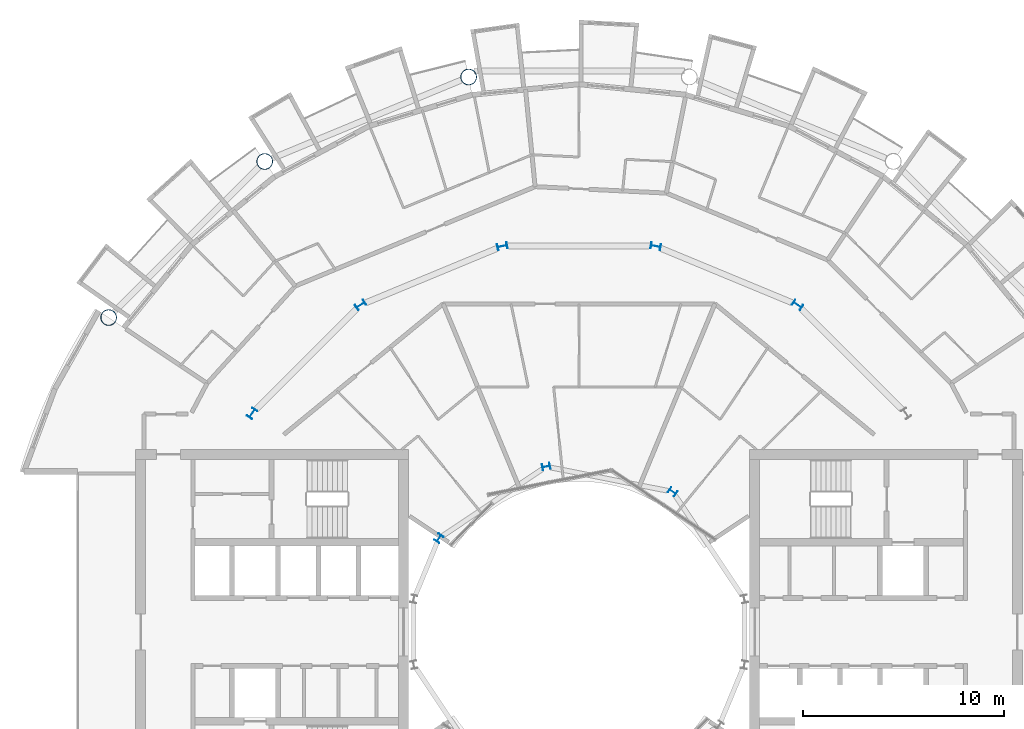
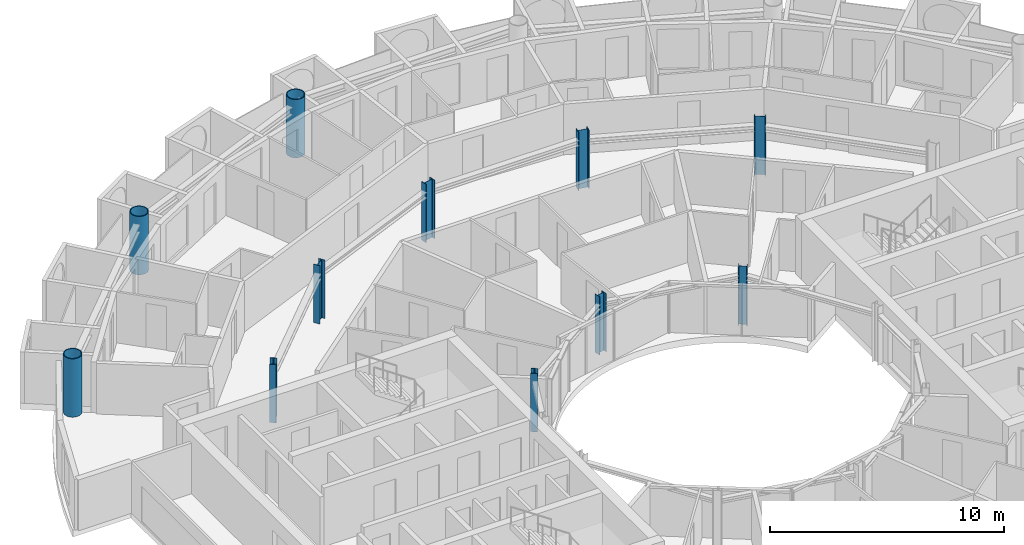
# One storey, part 3 of 26: 11 columns.
"""IFC4 building model written with IfcOpenShell, lengths in metres."""

from ifc_helpers import new_model, si_unit, direction, frame, origin, origin_2d, place, context, subcontext, project, spatial, hollow_circle, i_section, extrude, material, material_profile, profile_set, type_object, element, save


model = new_model("IFC4")

# Units and contexts
model_context = context("Model", 3, precision=1e-05, world=origin(), true_north=direction((0.0, 1.0)))
body_context = subcontext(model_context, "Body", "Model", "MODEL_VIEW")
ifc_project = project(units=[si_unit("LENGTHUNIT", "METRE"), si_unit("AREAUNIT", "SQUARE_METRE"), si_unit("VOLUMEUNIT", "CUBIC_METRE"), si_unit("PLANEANGLEUNIT", "RADIAN"), si_unit("MASSUNIT", "GRAM", prefix="KILO")], contexts=[model_context])

# Site, building, storey
site_placement = place(None, origin())
site = spatial("IfcSite", under=ifc_project, at=site_placement, CompositionType="ELEMENT")
building_placement = place(site_placement, origin())
building = spatial("IfcBuilding", under=site, at=building_placement, Name="Maasbend Ring Residences", CompositionType="ELEMENT")
storey_placement = place(building_placement, frame((0.0, 0.0, 176.85009765625)))
storey = spatial("IfcBuildingStorey", under=building, at=storey_placement, Name="L51", CompositionType="ELEMENT", Elevation=176.85009765625)

# Columns
ifc_material_1 = material(Name="Composite concrete-filled steel tube S460NH / C80/95", Category="concrete")
ifc_material_profile_1 = material_profile(ifc_material_1, hollow_circle(Radius=0.406494140625, WallThickness=0.0400390625, at=origin_2d()), Name="Composite tube column CHS 813x40")
ifc_profile_set_1 = profile_set([ifc_material_profile_1], Name="Composite concrete-filled steel tube S460NH / C80/95")
column_type_1 = type_object("IfcColumnType", Name="Composite tube column CHS 813x40", PredefinedType="COLUMN", material=ifc_profile_set_1)
for number, where, z_axis, x_axis, name in (
    (1, (-5.50146484375, 27.658203125, 0.0), (0.0, 0.0, 1.0), (1.0, 0.0, 0.0), "Outer column R5"),
    (2, (-15.6669921875, 23.447509765625, 0.0), (0.0, 0.0, 1.0), (1.0, 0.0, 0.0), "Outer column R6"),
    (3, (-23.447509765625, 15.6669921875, 0.0), (0.0, 0.0, 1.0), (1.0, 0.0, 0.0), "Outer column R7"),
):
    element("IfcColumn", number, at=place(storey_placement, frame(where, z_axis=z_axis, x_axis=x_axis)), inside=storey, type_object=column_type_1, Name=name, PredefinedType="COLUMN", context=body_context, shape_type="SweptSolid", body=[
        extrude(hollow_circle(Radius=0.406494140625, WallThickness=0.0400390625, at=origin_2d()), origin(), (0.0, 0.0, 1.0), 3.0498046875),
    ])
ifc_material_2 = material(Name="Steel S355J2", Category="steel")
ifc_material_profile_2 = material_profile(ifc_material_2, i_section(OverallWidth=0.300048828125, OverallDepth=0.389892578125, WebThickness=0.010986328125, FlangeThickness=0.01904296875, FilletRadius=0.027099609375, at=origin_2d()), Name="HEA 400")
ifc_profile_set_2 = profile_set([ifc_material_profile_2], Name="Steel S355J2")
column_type_2 = type_object("IfcColumnType", Name="Steel column HEA 400", PredefinedType="COLUMN", material=ifc_profile_set_2)
for number, where, z_axis, x_axis, name in (
    (4, (4.666748046875, 6.984375, 0.0), (0.0, 0.0, 1.0), (0.55557023302, 0.831469612303, 0.0), "Well ring column R3"),
    (5, (-1.638916015625, 8.238525390625, 0.0), (0.0, 0.0, 1.0), (-0.195090322016, 0.980785280403, 0.0), "Well ring column R5"),
    (6, (-6.984375, 4.666748046875, 0.0), (0.0, 0.0, 1.0), (-0.831469612303, 0.55557023302, 0.0), "Well ring column R7"),
):
    element("IfcColumn", number, at=place(storey_placement, frame(where, z_axis=z_axis, x_axis=x_axis)), inside=storey, type_object=column_type_2, Name=name, PredefinedType="COLUMN", context=body_context, shape_type="SweptSolid", body=[
        extrude(i_section(OverallWidth=0.300048828125, OverallDepth=0.389892578125, WebThickness=0.010986328125, FlangeThickness=0.01904296875, FilletRadius=0.027099609375, at=origin_2d()), origin(), (0.0, 0.0, 1.0), 3.0498046875),
    ])
ifc_material_3 = material(Name="Steel S355J2", Category="steel")
ifc_material_profile_3 = material_profile(ifc_material_3, i_section(OverallWidth=0.300048828125, OverallDepth=0.5, WebThickness=0.014404296875, FlangeThickness=0.028076171875, FilletRadius=0.027099609375, at=origin_2d()), Name="HEB 500")
ifc_profile_set_3 = profile_set([ifc_material_profile_3], Name="Steel S355J2")
column_type_3 = type_object("IfcColumnType", Name="Steel column HEB 500", PredefinedType="COLUMN", material=ifc_profile_set_3)
for number, where, z_axis, x_axis, name in (
    (7, (10.88916015625, 16.296875, 0.0), (0.0, 0.0, 1.0), (0.55557023302, 0.831469612303, 0.0), "Corridor ring column R3"),
    (8, (3.82373046875, 19.223388671875, 0.0), (0.0, 0.0, 1.0), (0.195090322016, 0.980785280403, 0.0), "Corridor ring column R4"),
    (9, (-3.82373046875, 19.223388671875, 0.0), (0.0, 0.0, 1.0), (-0.195090322016, 0.980785280403, 0.0), "Corridor ring column R5"),
    (10, (-10.88916015625, 16.296875, 0.0), (0.0, 0.0, 1.0), (-0.55557023302, 0.831469612303, 0.0), "Corridor ring column R6"),
    (11, (-16.296875, 10.88916015625, 0.0), (0.0, 0.0, 1.0), (-0.831469612303, 0.55557023302, 0.0), "Corridor ring column R7"),
):
    element("IfcColumn", number, at=place(storey_placement, frame(where, z_axis=z_axis, x_axis=x_axis)), inside=storey, type_object=column_type_3, Name=name, PredefinedType="COLUMN", context=body_context, shape_type="SweptSolid", body=[
        extrude(i_section(OverallWidth=0.300048828125, OverallDepth=0.5, WebThickness=0.014404296875, FlangeThickness=0.028076171875, FilletRadius=0.027099609375, at=origin_2d()), origin(), (0.0, 0.0, 1.0), 3.0498046875),
    ])

save(model, "model.ifc")
